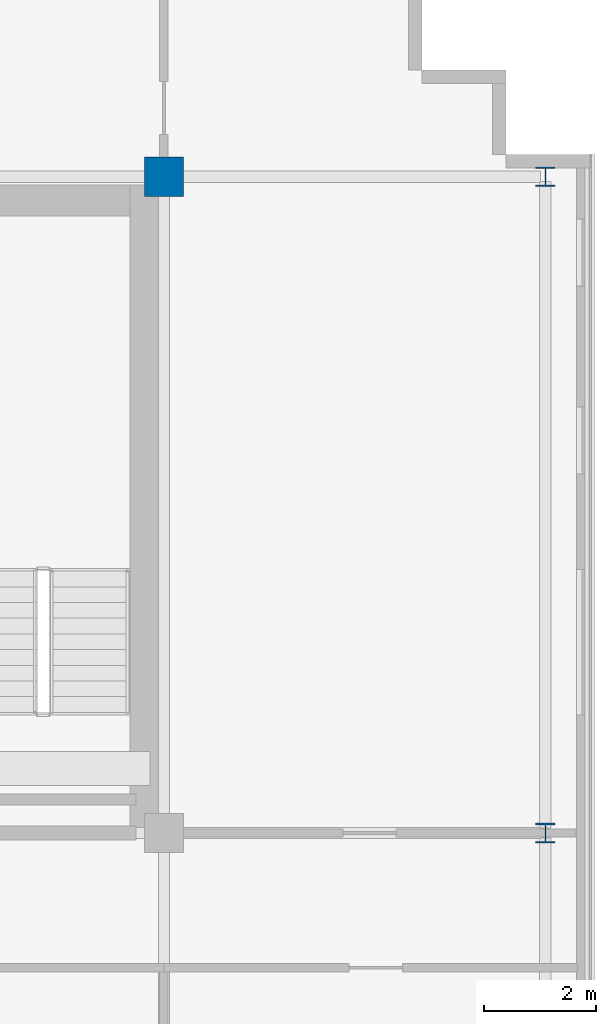
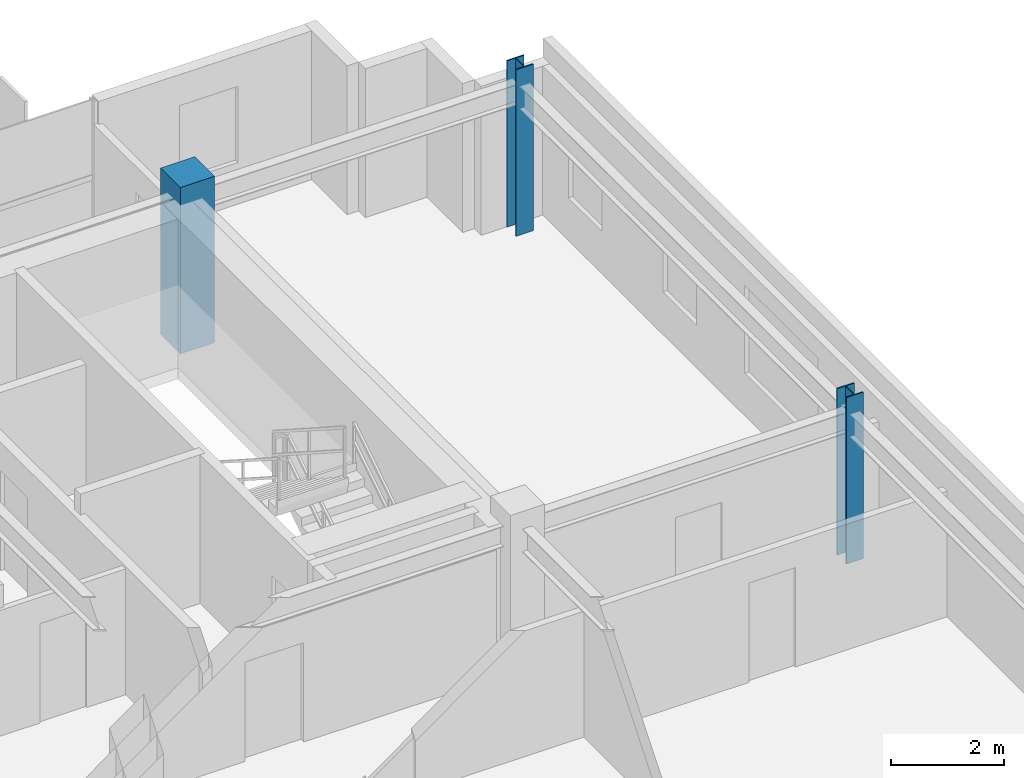
# One storey, part 4 of 27: 3 columns.
"""IFC4 building model written with IfcOpenShell, lengths in metres."""

from ifc_helpers import new_model, si_unit, direction, frame, origin, origin_2d, place, context, subcontext, project, spatial, rectangle, i_section, extrude, source, transform, mapped, material, material_profile, profile_set, type_object, element, save


model = new_model("IFC4")

# Units and contexts
model_context = context("Model", 3, precision=1e-05, world=origin(), true_north=direction((0.0, 1.0)))
body_context = subcontext(model_context, "Body", "Model", "MODEL_VIEW")
ifc_project = project(units=[si_unit("LENGTHUNIT", "METRE"), si_unit("AREAUNIT", "SQUARE_METRE"), si_unit("VOLUMEUNIT", "CUBIC_METRE"), si_unit("PLANEANGLEUNIT", "RADIAN"), si_unit("MASSUNIT", "GRAM", prefix="KILO")], contexts=[model_context])

# Site, building, storey
site_placement = place(None, origin())
site = spatial("IfcSite", under=ifc_project, at=site_placement, CompositionType="ELEMENT")
building_placement = place(site_placement, origin())
building = spatial("IfcBuilding", under=site, at=building_placement, Name="Trelvane Seafront Commons", CompositionType="ELEMENT")
storey_placement = place(building_placement, frame((0.0, 0.0, 237.300048828125)))
storey = spatial("IfcBuildingStorey", under=building, at=storey_placement, Name="L62", CompositionType="ELEMENT", Elevation=237.300048828125)

# Columns
ifc_material_1 = material(Name="Concrete C50/60", Category="concrete")
ifc_material_profile_1 = material_profile(ifc_material_1, rectangle(XDim=0.699951171875, YDim=0.699951171875, at=origin_2d()), Name="RC-700x700")
ifc_profile_set_1 = profile_set([ifc_material_profile_1], Name="Concrete C50/60")
column_type_1 = type_object("IfcColumnType", Name="STR-COL-RC700", PredefinedType="COLUMN", material=ifc_profile_set_1)
shared_shape_1 = source(origin(), body_context, "Body", "SweptSolid", [
    extrude(rectangle(XDim=0.699951171875, YDim=0.699951171875, at=origin_2d()), origin(), (0.0, 0.0, 1.0), 3.599853515625),
])
column_placement = place(storey_placement, frame((58.800048828125, 45.10009765625, 0.0), z_axis=(0.0, 0.0, 1.0), x_axis=(1.0, 0.0, 0.0)))
element("IfcColumn", 1, at=column_placement, inside=storey, type_object=column_type_1, Name="L62 Column TC-CN58.8", PredefinedType="COLUMN", context=body_context, shape_type="MappedRepresentation", body=[
    mapped(shared_shape_1, transform((0.0, 0.0, 0.0), x_axis=(1.0, 0.0, 0.0), y_axis=(0.0, 1.0, 0.0), z_axis=(0.0, 0.0, 1.0), scale=1.0)),
])
ifc_material_2 = material(Name="Steel SM355 (S355)", Category="steel")
ifc_material_profile_2 = material_profile(ifc_material_2, i_section(OverallWidth=0.35009765625, OverallDepth=0.35009765625, WebThickness=0.01806640625, FlangeThickness=0.028076171875, at=origin_2d()), Name="HD-350x350x18x28")
ifc_profile_set_2 = profile_set([ifc_material_profile_2], Name="Steel SM355 (S355)")
column_type_2 = type_object("IfcColumnType", Name="STR-COL-HD350", PredefinedType="COLUMN", material=ifc_profile_set_2)
shared_shape_2 = source(origin(), body_context, "Body", "SweptSolid", [
    extrude(i_section(OverallWidth=0.35009765625, OverallDepth=0.35009765625, WebThickness=0.01806640625, FlangeThickness=0.028076171875, at=origin_2d()), origin(), (0.0, 0.0, 1.0), 3.599853515625),
])
for number, where, z_axis, x_axis, name in (
    (2, (65.60009765625, 33.39990234375, 0.0), (0.0, 0.0, 1.0), (1.0, 0.0, 0.0), "L62 Column TC-CS65.6"),
    (3, (65.60009765625, 45.10009765625, 0.0), (0.0, 0.0, 1.0), (1.0, 0.0, 0.0), "L62 Column TC-CN65.6"),
):
    element("IfcColumn", number, at=place(storey_placement, frame(where, z_axis=z_axis, x_axis=x_axis)), inside=storey, type_object=column_type_2, Name=name, PredefinedType="COLUMN", context=body_context, shape_type="MappedRepresentation", body=[
        mapped(shared_shape_2, transform((0.0, 0.0, 0.0), x_axis=(1.0, 0.0, 0.0), y_axis=(0.0, 1.0, 0.0), z_axis=(0.0, 0.0, 1.0), scale=1.0)),
    ])

save(model, "model.ifc")
